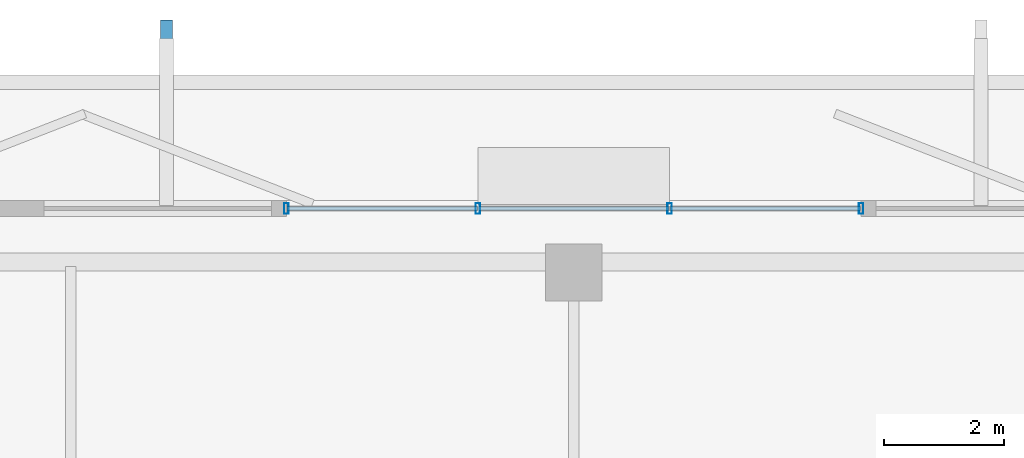
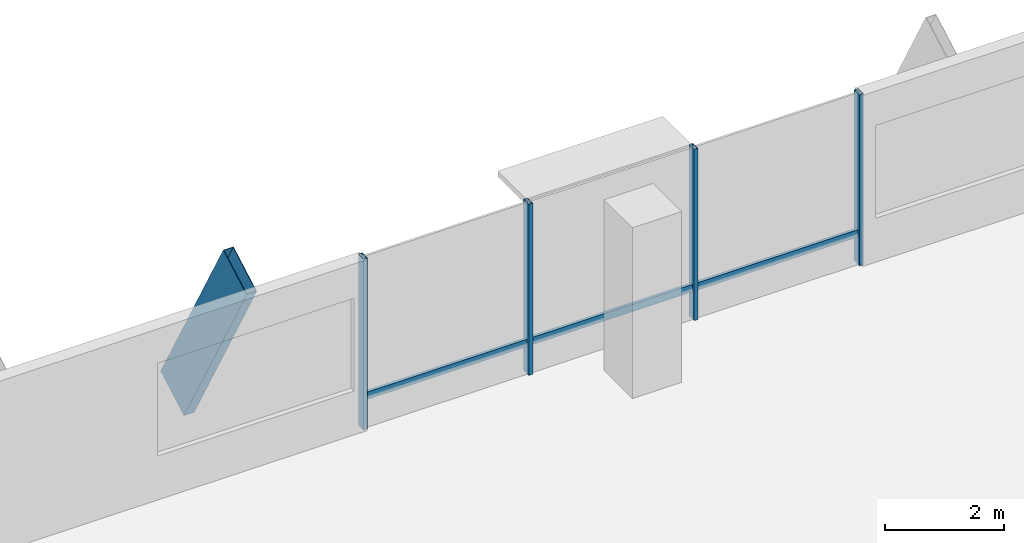
# One storey, part 10 of 17: 8 members, 1 element without a shape of its own.
"""IFC4 building model written with IfcOpenShell, lengths in metres."""

from ifc_helpers import new_model, si_unit, direction, frame, origin, origin_2d, place, context, subcontext, project, spatial, hollow_rectangle, extrude, material, layer, layer_set, material_profile, profile_set, type_object, element, aggregate, save


model = new_model("IFC4")

# Units and contexts
model_context = context("Model", 3, precision=1e-05, world=origin(), true_north=direction((0.0, 1.0)))
body_context = subcontext(model_context, "Body", "Model", "MODEL_VIEW")
ifc_project = project(units=[si_unit("LENGTHUNIT", "METRE"), si_unit("AREAUNIT", "SQUARE_METRE"), si_unit("VOLUMEUNIT", "CUBIC_METRE"), si_unit("PLANEANGLEUNIT", "RADIAN"), si_unit("MASSUNIT", "GRAM", prefix="KILO")], contexts=[model_context])

# Site, building, storey
site_placement = place(None, origin())
site = spatial("IfcSite", under=ifc_project, at=site_placement, CompositionType="ELEMENT")
building_placement = place(site_placement, origin())
building = spatial("IfcBuilding", under=site, at=building_placement, Name="Belovzor Exchange Tower", CompositionType="ELEMENT")
storey_placement = place(building_placement, frame((0.0, 0.0, 246.60009765625)))
storey = spatial("IfcBuildingStorey", under=building, at=storey_placement, Name="L61", CompositionType="ELEMENT", Elevation=246.60009765625)

# Member
ifc_material_1 = material(Name="Extruded Architectural Terracotta on Steel S355 Carrier", Category="masonry")
ifc_material_profile_1 = material_profile(ifc_material_1, hollow_rectangle(XDim=0.199951171875, YDim=0.89990234375, WallThickness=0.011962890625, at=origin_2d()))
ifc_profile_set_1 = profile_set([ifc_material_profile_1], Name="Extruded Architectural Terracotta on Steel S355 Carrier")
member_type_1 = type_object("IfcMemberType", Name="Sweeping Terracotta Baguette Fin Assembly 950", PredefinedType="USERDEFINED", material=ifc_profile_set_1)
member_1_placement = place(storey_placement, frame((22.0, 56.324951171875, -0.25), z_axis=(0.0, -0.488577422588, 0.872520545396), x_axis=(1.0, 0.0, 0.0)))
element("IfcMember", 1, at=member_1_placement, inside=storey, type_object=member_type_1, Name="FIN-TC095 Terracotta Facade Fin L61 N2", ObjectType="FIN", PredefinedType="USERDEFINED", context=body_context, shape_type="SweptSolid", body=[
    extrude(hollow_rectangle(XDim=0.199951171875, YDim=0.89990234375, WallThickness=0.011962890625, at=origin_2d()), origin(), (0.0, 0.0, 1.0), 4.2978515625),
])

# Curtain wall, members
ifc_material_2 = material(Name="Anodised Aluminium Framing", Category="aluminium")
ifc_layer = layer(ifc_material_2, 0.179931640625)
ifc_layer_set = layer_set([ifc_layer], Name="Anodised Aluminium Framing")
curtain_wall_type = type_object("IfcCurtainWallType", Name="Recessed Loggia Low-Iron Triple-Glazed Curtain Wall", PredefinedType="NOTDEFINED", material=ifc_layer_set)
curtain_wall_placement = place(storey_placement, origin())
curtain_wall = element("IfcCurtainWall", 2, at=curtain_wall_placement, inside=storey, type_object=curtain_wall_type, Name="CW3 Recessed Loggia Low-Iron Triple-Glazed Curtain Wall L61", PredefinedType="NOTDEFINED")
ifc_material_3 = material(Name="Steel S355", Category="steel")
ifc_material_profile_2 = material_profile(ifc_material_3, hollow_rectangle(XDim=0.074951171875, YDim=0.179931640625, WallThickness=0.0048828125, at=origin_2d()))
ifc_profile_set_2 = profile_set([ifc_material_profile_2], Name="Steel S355")
member_type_2 = type_object("IfcMemberType", Name="Thermally Broken Curtain Wall Mullion 180x75", PredefinedType="MULLION", material=ifc_profile_set_2)
member_2_placement = place(storey_placement, frame((24.0, 53.570068359375, 0.0), z_axis=(0.0, 0.0, 1.0), x_axis=(1.0, 0.0, 0.0)))
member_2 = element("IfcMember", 3, at=member_2_placement, type_object=member_type_2, Name="CW-M180 Curtain Wall Mullion 1", PredefinedType="MULLION", context=body_context, shape_type="SweptSolid", body=[
    extrude(hollow_rectangle(XDim=0.074951171875, YDim=0.179931640625, WallThickness=0.0048828125, at=origin_2d()), origin(), (0.0, 0.0, 1.0), 3.5),
])
member_3_placement = place(storey_placement, frame((27.199951171875, 53.570068359375, 0.0), z_axis=(0.0, 0.0, 1.0), x_axis=(1.0, 0.0, 0.0)))
member_3 = element("IfcMember", 4, at=member_3_placement, type_object=member_type_2, Name="CW-M180 Curtain Wall Mullion 2", PredefinedType="MULLION", context=body_context, shape_type="SweptSolid", body=[
    extrude(hollow_rectangle(XDim=0.074951171875, YDim=0.179931640625, WallThickness=0.0048828125, at=origin_2d()), origin(), (0.0, 0.0, 1.0), 3.5),
])
member_4_placement = place(storey_placement, frame((30.39990234375, 53.570068359375, 0.0), z_axis=(0.0, 0.0, 1.0), x_axis=(1.0, 0.0, 0.0)))
member_4 = element("IfcMember", 5, at=member_4_placement, type_object=member_type_2, Name="CW-M180 Curtain Wall Mullion 3", PredefinedType="MULLION", context=body_context, shape_type="SweptSolid", body=[
    extrude(hollow_rectangle(XDim=0.074951171875, YDim=0.179931640625, WallThickness=0.0048828125, at=origin_2d()), origin(), (0.0, 0.0, 1.0), 3.5),
])
member_5_placement = place(storey_placement, frame((33.60009765625, 53.570068359375, 0.0), z_axis=(0.0, 0.0, 1.0), x_axis=(1.0, 0.0, 0.0)))
member_5 = element("IfcMember", 6, at=member_5_placement, type_object=member_type_2, Name="CW-M180 Curtain Wall Mullion 4", PredefinedType="MULLION", context=body_context, shape_type="SweptSolid", body=[
    extrude(hollow_rectangle(XDim=0.074951171875, YDim=0.179931640625, WallThickness=0.0048828125, at=origin_2d()), origin(), (0.0, 0.0, 1.0), 3.5),
])
ifc_material_4 = material(Name="Steel S355", Category="steel")
ifc_material_profile_3 = material_profile(ifc_material_4, hollow_rectangle(XDim=0.06005859375, YDim=0.14990234375, WallThickness=0.00390625, at=origin_2d()))
ifc_profile_set_3 = profile_set([ifc_material_profile_3], Name="Steel S355")
member_type_3 = type_object("IfcMemberType", Name="Thermally Broken Curtain Wall Transom 150x60", PredefinedType="USERDEFINED", material=ifc_profile_set_3)
member_6_placement = place(storey_placement, frame((24.008056640625, 53.570068359375, 0.6298828125), z_axis=(1.0, 0.0, 0.0), x_axis=(0.0, 1.0, 0.0)))
member_6 = element("IfcMember", 7, at=member_6_placement, type_object=member_type_3, Name="CW-T150 Curtain Wall Transom 1", ObjectType="TRANSOM", PredefinedType="USERDEFINED", context=body_context, shape_type="SweptSolid", body=[
    extrude(hollow_rectangle(XDim=0.06005859375, YDim=0.14990234375, WallThickness=0.00390625, at=origin_2d()), origin(), (0.0, 0.0, 1.0), 3.183837890625),
])
member_7_placement = place(storey_placement, frame((27.2080078125, 53.570068359375, 0.6298828125), z_axis=(1.0, 0.0, 0.0), x_axis=(0.0, 1.0, 0.0)))
member_7 = element("IfcMember", 8, at=member_7_placement, type_object=member_type_3, Name="CW-T150 Curtain Wall Transom 2", ObjectType="TRANSOM", PredefinedType="USERDEFINED", context=body_context, shape_type="SweptSolid", body=[
    extrude(hollow_rectangle(XDim=0.06005859375, YDim=0.14990234375, WallThickness=0.00390625, at=origin_2d()), origin(), (0.0, 0.0, 1.0), 3.18408203125),
])
member_8_placement = place(storey_placement, frame((30.407958984375, 53.570068359375, 0.6298828125), z_axis=(1.0, 0.0, 0.0), x_axis=(0.0, 1.0, 0.0)))
member_8 = element("IfcMember", 9, at=member_8_placement, type_object=member_type_3, Name="CW-T150 Curtain Wall Transom 3", ObjectType="TRANSOM", PredefinedType="USERDEFINED", context=body_context, shape_type="SweptSolid", body=[
    extrude(hollow_rectangle(XDim=0.06005859375, YDim=0.14990234375, WallThickness=0.00390625, at=origin_2d()), origin(), (0.0, 0.0, 1.0), 3.18408203125),
])
aggregate(curtain_wall, [member_2, member_3, member_4, member_5, member_6, member_7, member_8])

save(model, "model.ifc")
